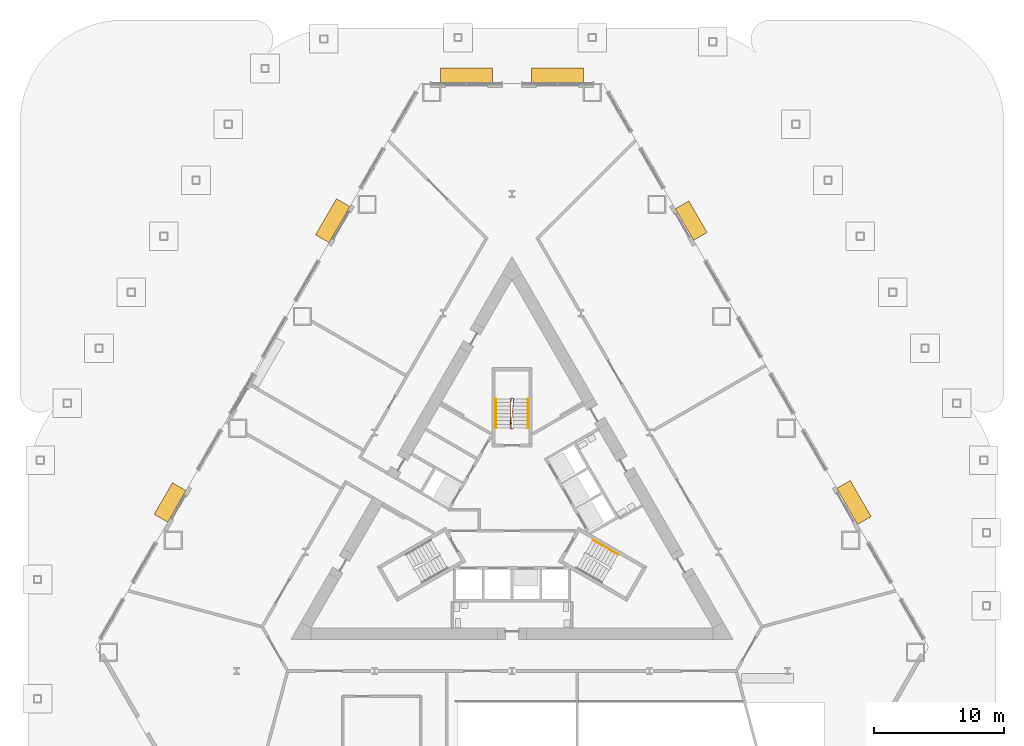
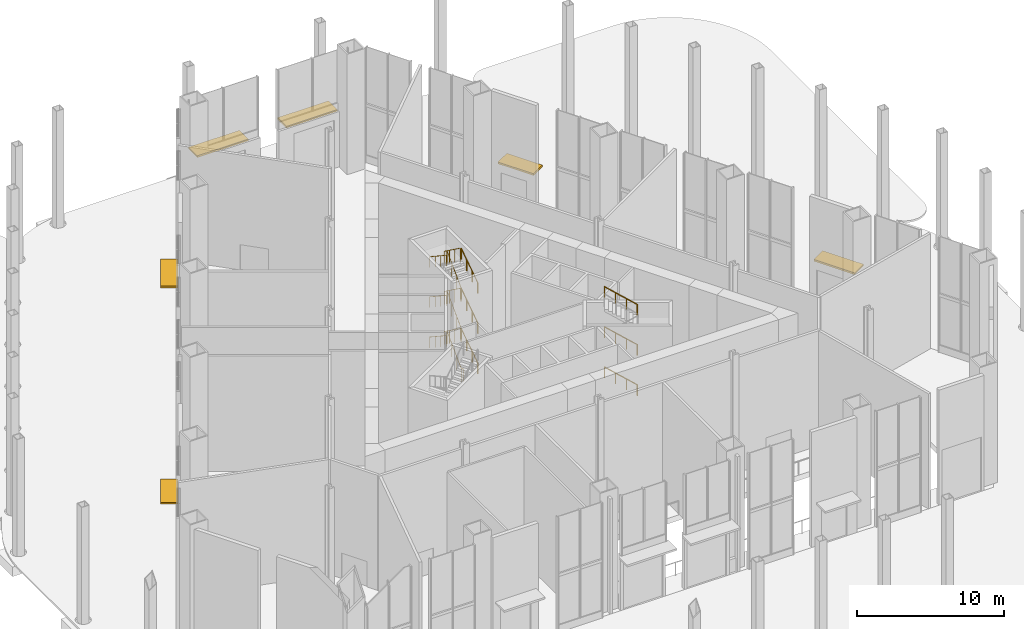
# One storey, part 16 of 18: 10 railings, 6 shading devices.
"""IFC4 building model written with IfcOpenShell, lengths in metres."""

from ifc_helpers import new_model, si_unit, direction, frame, origin, origin_2d, place, context, subcontext, project, spatial, rectangle, circle, extrude, material, layer, layer_set, type_object, element, save


model = new_model("IFC4")

# Units and contexts
model_context = context("Model", 3, precision=1e-05, world=origin(), true_north=direction((0.0, 1.0)))
body_context = subcontext(model_context, "Body", "Model", "MODEL_VIEW")
ifc_project = project(units=[si_unit("LENGTHUNIT", "METRE"), si_unit("AREAUNIT", "SQUARE_METRE"), si_unit("VOLUMEUNIT", "CUBIC_METRE"), si_unit("PLANEANGLEUNIT", "RADIAN"), si_unit("MASSUNIT", "GRAM", prefix="KILO")], contexts=[model_context])

# Site, building, storey
site_placement = place(None, origin())
site = spatial("IfcSite", under=ifc_project, at=site_placement, CompositionType="ELEMENT")
building_placement = place(site_placement, origin())
building = spatial("IfcBuilding", under=site, at=building_placement, Name="Cormorant Prow Tower", CompositionType="ELEMENT")
storey_placement = place(building_placement, origin())
storey = spatial("IfcBuildingStorey", under=building, at=storey_placement, Name="L00", CompositionType="ELEMENT", Elevation=0.0)

# Shading devices
ifc_material_1 = material(Name="Terracotta", Category="masonry")
ifc_layer_1 = layer(ifc_material_1, 0.14990234375)
ifc_layer_set_1 = layer_set([ifc_layer_1], Name="Terracotta")
shading_device_type_1 = type_object("IfcShadingDeviceType", Name="Entrance sunshade 2800x1200x150", PredefinedType="AWNING", material=ifc_layer_set_1)
for number, where, z_axis, x_axis, name in (
    (1, (13.76953125, 22.383544921875, 3.425048828125), (0.0, 0.0, 1.0), (-0.500000001632, 0.866025402842, 0.0), "Entrance sunshade ENE07"),
    (2, (-26.26953125, 0.73291015625, 3.425048828125), (0.0, 0.0, 1.0), (-0.500000001632, -0.866025402842, 0.0), "Entrance sunshade WNW07"),
):
    element("IfcShadingDevice", number, at=place(storey_placement, frame(where, z_axis=z_axis, x_axis=x_axis)), inside=storey, type_object=shading_device_type_1, Name=name, PredefinedType="AWNING", context=body_context, shape_type="SweptSolid", body=[
        extrude(rectangle(XDim=2.800048828125, YDim=1.199951171875, at=origin_2d()), origin(), (0.0, 0.0, 1.0), 0.14990234375),
    ])
ifc_material_2 = material(Name="Terracotta", Category="masonry")
ifc_layer_2 = layer(ifc_material_2, 0.14990234375)
ifc_layer_set_2 = layer_set([ifc_layer_2], Name="Terracotta")
shading_device_type_2 = type_object("IfcShadingDeviceType", Name="Entrance sunshade 3200x1200x150", PredefinedType="AWNING", material=ifc_layer_set_2)
for number, where, z_axis, x_axis, name in (
    (3, (26.26953125, 0.73291015625, 4.025146484375), (0.0, 0.0, 1.0), (-0.500000001632, 0.866025402842, 0.0), "Entrance sunshade ENE02"),
    (4, (-13.76953125, 22.383544921875, 4.025146484375), (0.0, 0.0, 1.0), (-0.500000001632, -0.866025402842, 0.0), "Entrance sunshade WNW02"),
):
    element("IfcShadingDevice", number, at=place(storey_placement, frame(where, z_axis=z_axis, x_axis=x_axis)), inside=storey, type_object=shading_device_type_2, Name=name, PredefinedType="AWNING", context=body_context, shape_type="SweptSolid", body=[
        extrude(rectangle(XDim=3.199951171875, YDim=1.199951171875, at=origin_2d()), origin(), (0.0, 0.0, 1.0), 0.14990234375),
    ])
ifc_material_3 = material(Name="Terracotta", Category="masonry")
ifc_layer_3 = layer(ifc_material_3, 0.14990234375)
ifc_layer_set_3 = layer_set([ifc_layer_3], Name="Terracotta")
shading_device_type_3 = type_object("IfcShadingDeviceType", Name="Entrance sunshade 4000x1200x150", PredefinedType="AWNING", material=ifc_layer_set_3)
for number, where, z_axis, x_axis, name in (
    (5, (3.5, 33.509033203125, 4.425048828125), (0.0, 0.0, 1.0), (-1.0, 0.0, 0.0), "Entrance sunshade N00"),
    (6, (-3.5, 33.509033203125, 4.425048828125), (0.0, 0.0, 1.0), (-1.0, 0.0, 0.0), "Entrance sunshade N01"),
):
    element("IfcShadingDevice", number, at=place(storey_placement, frame(where, z_axis=z_axis, x_axis=x_axis)), inside=storey, type_object=shading_device_type_3, Name=name, PredefinedType="AWNING", context=body_context, shape_type="SweptSolid", body=[
        extrude(rectangle(XDim=4.0, YDim=1.199951171875, at=origin_2d()), origin(), (0.0, 0.0, 1.0), 0.14990234375),
    ])

# Railings
ifc_material_4 = material(Name="Stainless steel", Category="steel")
railing_type_1 = type_object("IfcRailingType", Name="Stair guard 1100", PredefinedType="GUARDRAIL", material=ifc_material_4)
railing_1_placement = place(storey_placement, frame((0.074951171875, 6.40576171875, 0.0)))
element("IfcRailing", 7, at=railing_1_placement, inside=storey, type_object=railing_type_1, Name="L00 ST3 stair guard 1", PredefinedType="GUARDRAIL", context=body_context, shape_type="SweptSolid", body=[
    extrude(circle(Radius=0.02392578125, at=origin_2d()), frame((0.0, 0.0, 1.076171875), z_axis=(-1.0, 0.0, 0.0), x_axis=(0.0, -1.0, 0.0)), (0.0, 0.0, 1.0), 0.14990234375),
    extrude(circle(Radius=0.02392578125, at=origin_2d()), frame((-0.14990234375, 0.0, 1.076171875), z_axis=(0.070419712809, 0.806516368928, 0.587002905189), x_axis=(-0.996209839609, 0.086982500921, 0.0)), (0.0, 0.0, 1.0), 2.83935546875),
    extrude(circle(Radius=0.02392578125, at=origin_2d()), frame((0.050048828125, 2.2900390625, 2.74267578125), z_axis=(-0.970072785993, 0.242814311512, 0.0), x_axis=(-0.242814311512, -0.970072785993, 0.0)), (0.0, 0.0, 1.0), 0.2060546875),
    extrude(circle(Radius=0.02392578125, at=origin_2d()), frame((-0.14990234375, 2.340087890625, 2.74267578125), z_axis=(-0.017668429064, -0.808438363986, 0.58831559409), x_axis=(0.999761264773, -0.0218497931, 0.0)), (0.0, 0.0, 1.0), 2.832763671875),
    extrude(circle(Radius=0.02392578125, at=origin_2d()), frame((-0.199951171875, 0.050048828125, 4.4091796875), z_axis=(0.707106781187, -0.707106781187, 0.0), x_axis=(0.707106781187, 0.707106781187, 0.0)), (0.0, 0.0, 1.0), 0.07080078125),
    extrude(circle(Radius=0.02392578125, at=origin_2d()), frame((-0.14990234375, 0.0, 4.4091796875), z_axis=(0.070419712809, 0.806516368928, 0.587002905189), x_axis=(-0.996209839609, 0.086982500921, 0.0)), (0.0, 0.0, 1.0), 2.83935546875),
    extrude(circle(Radius=0.02392578125, at=origin_2d()), frame((0.050048828125, 2.2900390625, 6.076171875), z_axis=(-0.970072785993, 0.242814311512, 0.0), x_axis=(-0.242814311512, -0.970072785993, 0.0)), (0.0, 0.0, 1.0), 0.2060546875),
    extrude(circle(Radius=0.02392578125, at=origin_2d()), frame((-0.14990234375, 2.340087890625, 6.076171875), z_axis=(-0.017667533181, -0.80839737189, 0.58837194647), x_axis=(0.999761264773, -0.0218497931, 0.0)), (0.0, 0.0, 1.0), 2.832763671875),
    extrude(circle(Radius=0.02392578125, at=origin_2d()), frame((-0.199951171875, 0.050048828125, 7.74267578125), z_axis=(0.707106781187, -0.707106781187, 0.0), x_axis=(0.707106781187, 0.707106781187, 0.0)), (0.0, 0.0, 1.0), 0.07080078125),
    extrude(circle(Radius=0.02392578125, at=origin_2d()), frame((-0.14990234375, 0.0, 7.74267578125), z_axis=(0.070423267043, 0.80655707553, 0.586946545583), x_axis=(-0.996209839609, 0.086982500921, 0.0)), (0.0, 0.0, 1.0), 2.83935546875),
    extrude(circle(Radius=0.02392578125, at=origin_2d()), frame((0.050048828125, 2.2900390625, 9.4091796875), z_axis=(-0.970072785993, 0.242814311512, 0.0), x_axis=(-0.242814311512, -0.970072785993, 0.0)), (0.0, 0.0, 1.0), 0.2060546875),
    extrude(circle(Radius=0.02392578125, at=origin_2d()), frame((-0.14990234375, 2.340087890625, 9.4091796875), z_axis=(-0.017667533181, -0.80839737189, 0.58837194647), x_axis=(0.999761264773, -0.0218497931, 0.0)), (0.0, 0.0, 1.0), 2.832763671875),
    extrude(circle(Radius=0.02099609375, at=origin_2d()), origin(), (0.0, 0.0, 1.0), 1.052001953125),
    extrude(circle(Radius=0.02099609375, at=origin_2d()), frame((-0.14990234375, 0.0, 0.0)), (0.0, 0.0, 1.0), 1.052001953125),
    extrude(circle(Radius=0.02099609375, at=origin_2d()), frame((-0.083251953125, 0.763427734375, 0.5556640625)), (0.0, 0.0, 1.0), 1.052001953125),
    extrude(circle(Radius=0.02099609375, at=origin_2d()), frame((-0.0166015625, 1.526611328125, 1.111083984375)), (0.0, 0.0, 1.0), 1.052001953125),
    extrude(circle(Radius=0.02099609375, at=origin_2d()), frame((0.050048828125, 2.2900390625, 1.666748046875)), (0.0, 0.0, 1.0), 1.052001953125),
    extrude(circle(Radius=0.02099609375, at=origin_2d()), frame((-0.14990234375, 2.340087890625, 1.666748046875)), (0.0, 0.0, 1.0), 1.052001953125),
    extrude(circle(Radius=0.02099609375, at=origin_2d()), frame((-0.16650390625, 1.57666015625, 2.22216796875)), (0.0, 0.0, 1.0), 1.052001953125),
    extrude(circle(Radius=0.02099609375, at=origin_2d()), frame((-0.183349609375, 0.8134765625, 2.77783203125)), (0.0, 0.0, 1.0), 1.052001953125),
    extrude(circle(Radius=0.02099609375, at=origin_2d()), frame((-0.199951171875, 0.050048828125, 3.333251953125)), (0.0, 0.0, 1.0), 1.052001953125),
    extrude(circle(Radius=0.02099609375, at=origin_2d()), frame((-0.14990234375, 0.0, 3.333251953125)), (0.0, 0.0, 1.0), 1.052001953125),
    extrude(circle(Radius=0.02099609375, at=origin_2d()), frame((-0.083251953125, 0.763427734375, 3.888916015625)), (0.0, 0.0, 1.0), 1.052001953125),
    extrude(circle(Radius=0.02099609375, at=origin_2d()), frame((-0.0166015625, 1.526611328125, 4.4443359375)), (0.0, 0.0, 1.0), 1.052001953125),
    extrude(circle(Radius=0.02099609375, at=origin_2d()), frame((0.050048828125, 2.2900390625, 5.0)), (0.0, 0.0, 1.0), 1.052001953125),
    extrude(circle(Radius=0.02099609375, at=origin_2d()), frame((-0.14990234375, 2.340087890625, 5.0)), (0.0, 0.0, 1.0), 1.052001953125),
    extrude(circle(Radius=0.02099609375, at=origin_2d()), frame((-0.16650390625, 1.57666015625, 5.5556640625)), (0.0, 0.0, 1.0), 1.052001953125),
    extrude(circle(Radius=0.02099609375, at=origin_2d()), frame((-0.183349609375, 0.8134765625, 6.111083984375)), (0.0, 0.0, 1.0), 1.052001953125),
    extrude(circle(Radius=0.02099609375, at=origin_2d()), frame((-0.199951171875, 0.050048828125, 6.666748046875)), (0.0, 0.0, 1.0), 1.052001953125),
    extrude(circle(Radius=0.02099609375, at=origin_2d()), frame((-0.14990234375, 0.0, 6.666748046875)), (0.0, 0.0, 1.0), 1.052001953125),
    extrude(circle(Radius=0.02099609375, at=origin_2d()), frame((-0.083251953125, 0.763427734375, 7.22216796875)), (0.0, 0.0, 1.0), 1.052001953125),
    extrude(circle(Radius=0.02099609375, at=origin_2d()), frame((-0.0166015625, 1.526611328125, 7.77783203125)), (0.0, 0.0, 1.0), 1.052001953125),
    extrude(circle(Radius=0.02099609375, at=origin_2d()), frame((0.050048828125, 2.2900390625, 8.333251953125)), (0.0, 0.0, 1.0), 1.052001953125),
    extrude(circle(Radius=0.02099609375, at=origin_2d()), frame((-0.14990234375, 2.340087890625, 8.333251953125)), (0.0, 0.0, 1.0), 1.052001953125),
    extrude(circle(Radius=0.02099609375, at=origin_2d()), frame((-0.16650390625, 1.57666015625, 8.888916015625)), (0.0, 0.0, 1.0), 1.052001953125),
    extrude(circle(Radius=0.02099609375, at=origin_2d()), frame((-0.183349609375, 0.8134765625, 9.4443359375)), (0.0, 0.0, 1.0), 1.052001953125),
    extrude(circle(Radius=0.02099609375, at=origin_2d()), frame((-0.199951171875, 0.050048828125, 10.0)), (0.0, 0.0, 1.0), 1.052001953125),
])
ifc_material_5 = material(Name="Stainless steel", Category="steel")
railing_type_2 = type_object("IfcRailingType", Name="Stair handrail 900", PredefinedType="HANDRAIL", material=ifc_material_5)
for number, where, name in (
    (8, (8.15283203125, -3.2705078125, 1.851806640625), "L00 ST2 stair handrail 2"),
    (9, (8.15283203125, -3.2705078125, 5.185302734375), "L00 ST2 stair handrail 4"),
    (10, (8.15283203125, -3.2705078125, 8.5185546875), "L00 ST2 stair handrail 6"),
):
    element("IfcRailing", number, at=place(storey_placement, frame(where)), inside=storey, type_object=railing_type_2, Name=name, PredefinedType="HANDRAIL", context=body_context, shape_type="SweptSolid", body=[
        extrude(circle(Radius=0.02392578125, at=origin_2d()), frame((0.0, 0.0, 0.8759765625), z_axis=(-0.722363311002, 0.416999812178, 0.551636115172), x_axis=(-0.49994888933, -0.866054910533, 0.0)), (0.0, 0.0, 1.0), 2.685546875),
        extrude(circle(Radius=0.02099609375, at=origin_2d()), origin(), (0.0, 0.0, 1.0), 0.851806640625),
        extrude(circle(Radius=0.02099609375, at=origin_2d()), frame((-0.646728515625, 0.373291015625, 0.493896484375)), (0.0, 0.0, 1.0), 0.851806640625),
        extrude(circle(Radius=0.02099609375, at=origin_2d()), frame((-1.293212890625, 0.74658203125, 0.987548828125)), (0.0, 0.0, 1.0), 0.851806640625),
        extrude(circle(Radius=0.02099609375, at=origin_2d()), frame((-1.93994140625, 1.119873046875, 1.4814453125)), (0.0, 0.0, 1.0), 0.851806640625),
    ])
railing_2_placement = place(storey_placement, frame((1.243896484375, 6.455810546875, 0.185302734375)))
element("IfcRailing", 11, at=railing_2_placement, inside=storey, type_object=railing_type_2, Name="L00 ST3 stair handrail 1", PredefinedType="HANDRAIL", context=body_context, shape_type="SweptSolid", body=[
    extrude(circle(Radius=0.02392578125, at=origin_2d()), frame((0.0, 0.0, 0.8759765625), z_axis=(0.0, 0.83408660425, 0.551633516577), x_axis=(-1.0, 0.0, 0.0)), (0.0, 0.0, 1.0), 2.685546875),
    extrude(circle(Radius=0.02099609375, at=origin_2d()), origin(), (0.0, 0.0, 1.0), 0.851806640625),
    extrude(circle(Radius=0.02099609375, at=origin_2d()), frame((0.0, 0.74658203125, 0.493896484375)), (0.0, 0.0, 1.0), 0.851806640625),
    extrude(circle(Radius=0.02099609375, at=origin_2d()), frame((0.0, 1.493408203125, 0.987548828125)), (0.0, 0.0, 1.0), 0.851806640625),
    extrude(circle(Radius=0.02099609375, at=origin_2d()), frame((0.0, 2.239990234375, 1.4814453125)), (0.0, 0.0, 1.0), 0.851806640625),
])
railing_3_placement = place(storey_placement, frame((-1.243896484375, 8.69580078125, 1.851806640625)))
element("IfcRailing", 12, at=railing_3_placement, inside=storey, type_object=railing_type_2, Name="L00 ST3 stair handrail 2", PredefinedType="HANDRAIL", context=body_context, shape_type="SweptSolid", body=[
    extrude(circle(Radius=0.02392578125, at=origin_2d()), frame((0.0, 0.0, 0.8759765625), z_axis=(0.0, -0.83408660425, 0.551633516577), x_axis=(1.0, 0.0, 0.0)), (0.0, 0.0, 1.0), 2.685546875),
    extrude(circle(Radius=0.02099609375, at=origin_2d()), origin(), (0.0, 0.0, 1.0), 0.851806640625),
    extrude(circle(Radius=0.02099609375, at=origin_2d()), frame((0.0, -0.74658203125, 0.493896484375)), (0.0, 0.0, 1.0), 0.851806640625),
    extrude(circle(Radius=0.02099609375, at=origin_2d()), frame((0.0, -1.493408203125, 0.987548828125)), (0.0, 0.0, 1.0), 0.851806640625),
    extrude(circle(Radius=0.02099609375, at=origin_2d()), frame((0.0, -2.239990234375, 1.4814453125)), (0.0, 0.0, 1.0), 0.851806640625),
])
railing_4_placement = place(storey_placement, frame((1.243896484375, 6.455810546875, 3.5185546875)))
element("IfcRailing", 13, at=railing_4_placement, inside=storey, type_object=railing_type_2, Name="L00 ST3 stair handrail 3", PredefinedType="HANDRAIL", context=body_context, shape_type="SweptSolid", body=[
    extrude(circle(Radius=0.02392578125, at=origin_2d()), frame((0.0, 0.0, 0.8759765625), z_axis=(0.0, 0.83408660425, 0.551633516577), x_axis=(-1.0, 0.0, 0.0)), (0.0, 0.0, 1.0), 2.685546875),
    extrude(circle(Radius=0.02099609375, at=origin_2d()), origin(), (0.0, 0.0, 1.0), 0.851806640625),
    extrude(circle(Radius=0.02099609375, at=origin_2d()), frame((0.0, 0.74658203125, 0.493896484375)), (0.0, 0.0, 1.0), 0.851806640625),
    extrude(circle(Radius=0.02099609375, at=origin_2d()), frame((0.0, 1.493408203125, 0.987548828125)), (0.0, 0.0, 1.0), 0.851806640625),
    extrude(circle(Radius=0.02099609375, at=origin_2d()), frame((0.0, 2.239990234375, 1.4814453125)), (0.0, 0.0, 1.0), 0.851806640625),
])
railing_5_placement = place(storey_placement, frame((-1.243896484375, 8.69580078125, 5.185302734375)))
element("IfcRailing", 14, at=railing_5_placement, inside=storey, type_object=railing_type_2, Name="L00 ST3 stair handrail 4", PredefinedType="HANDRAIL", context=body_context, shape_type="SweptSolid", body=[
    extrude(circle(Radius=0.02392578125, at=origin_2d()), frame((0.0, 0.0, 0.8759765625), z_axis=(0.0, -0.83408660425, 0.551633516577), x_axis=(1.0, 0.0, 0.0)), (0.0, 0.0, 1.0), 2.685546875),
    extrude(circle(Radius=0.02099609375, at=origin_2d()), origin(), (0.0, 0.0, 1.0), 0.851806640625),
    extrude(circle(Radius=0.02099609375, at=origin_2d()), frame((0.0, -0.74658203125, 0.493896484375)), (0.0, 0.0, 1.0), 0.851806640625),
    extrude(circle(Radius=0.02099609375, at=origin_2d()), frame((0.0, -1.493408203125, 0.987548828125)), (0.0, 0.0, 1.0), 0.851806640625),
    extrude(circle(Radius=0.02099609375, at=origin_2d()), frame((0.0, -2.239990234375, 1.4814453125)), (0.0, 0.0, 1.0), 0.851806640625),
])
railing_6_placement = place(storey_placement, frame((1.243896484375, 6.455810546875, 6.851806640625)))
element("IfcRailing", 15, at=railing_6_placement, inside=storey, type_object=railing_type_2, Name="L00 ST3 stair handrail 5", PredefinedType="HANDRAIL", context=body_context, shape_type="SweptSolid", body=[
    extrude(circle(Radius=0.02392578125, at=origin_2d()), frame((0.0, 0.0, 0.8759765625), z_axis=(0.0, 0.83408660425, 0.551633516577), x_axis=(-1.0, 0.0, 0.0)), (0.0, 0.0, 1.0), 2.685546875),
    extrude(circle(Radius=0.02099609375, at=origin_2d()), origin(), (0.0, 0.0, 1.0), 0.851806640625),
    extrude(circle(Radius=0.02099609375, at=origin_2d()), frame((0.0, 0.74658203125, 0.493896484375)), (0.0, 0.0, 1.0), 0.851806640625),
    extrude(circle(Radius=0.02099609375, at=origin_2d()), frame((0.0, 1.493408203125, 0.987548828125)), (0.0, 0.0, 1.0), 0.851806640625),
    extrude(circle(Radius=0.02099609375, at=origin_2d()), frame((0.0, 2.239990234375, 1.4814453125)), (0.0, 0.0, 1.0), 0.851806640625),
])
railing_7_placement = place(storey_placement, frame((-1.243896484375, 8.69580078125, 8.5185546875)))
element("IfcRailing", 16, at=railing_7_placement, inside=storey, type_object=railing_type_2, Name="L00 ST3 stair handrail 6", PredefinedType="HANDRAIL", context=body_context, shape_type="SweptSolid", body=[
    extrude(circle(Radius=0.02392578125, at=origin_2d()), frame((0.0, 0.0, 0.8759765625), z_axis=(0.0, -0.83408660425, 0.551633516577), x_axis=(1.0, 0.0, 0.0)), (0.0, 0.0, 1.0), 2.685546875),
    extrude(circle(Radius=0.02099609375, at=origin_2d()), origin(), (0.0, 0.0, 1.0), 0.851806640625),
    extrude(circle(Radius=0.02099609375, at=origin_2d()), frame((0.0, -0.74658203125, 0.493896484375)), (0.0, 0.0, 1.0), 0.851806640625),
    extrude(circle(Radius=0.02099609375, at=origin_2d()), frame((0.0, -1.493408203125, 0.987548828125)), (0.0, 0.0, 1.0), 0.851806640625),
    extrude(circle(Radius=0.02099609375, at=origin_2d()), frame((0.0, -2.239990234375, 1.4814453125)), (0.0, 0.0, 1.0), 0.851806640625),
])

save(model, "model.ifc")
